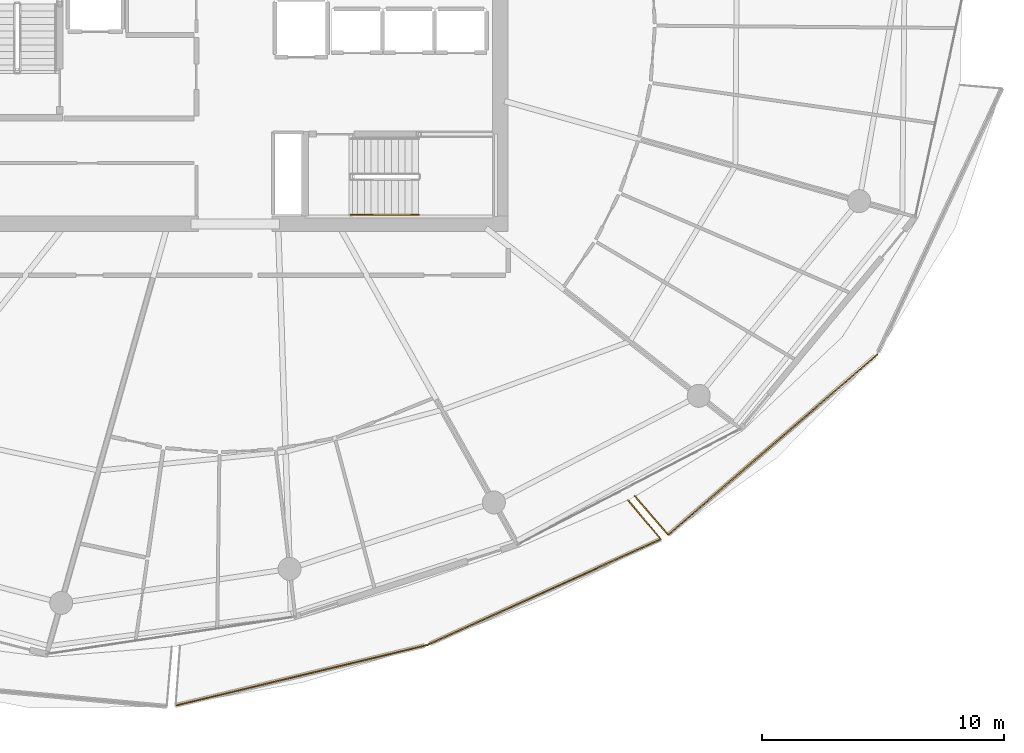
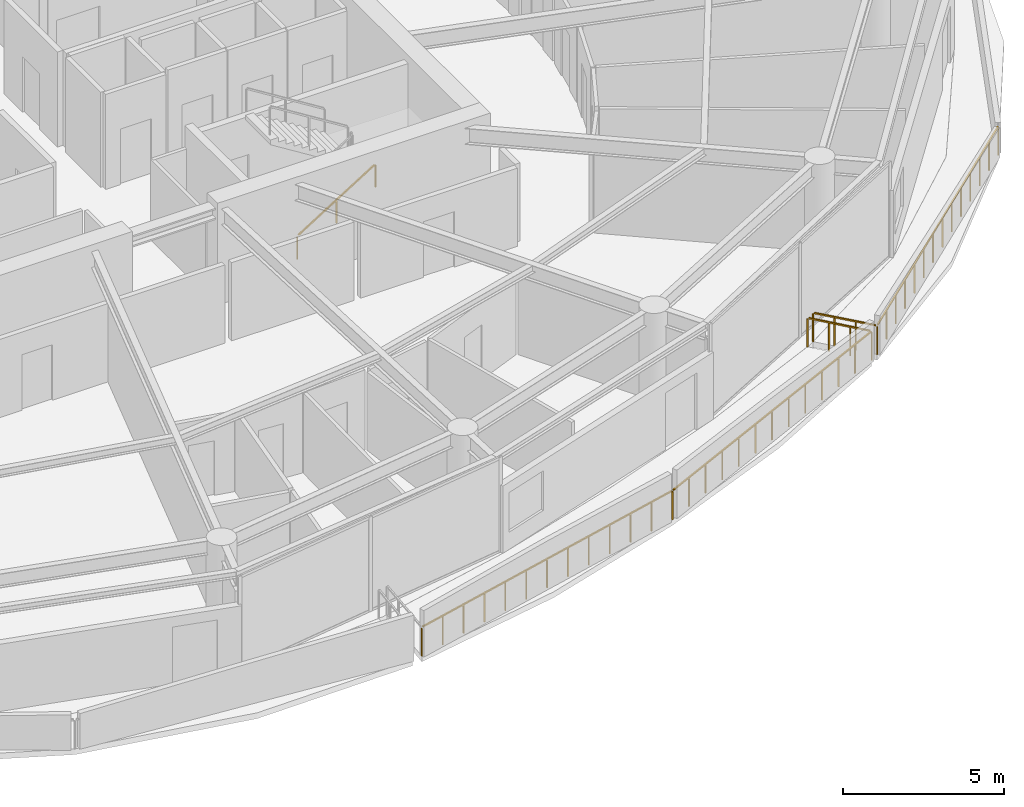
# One storey, part 26 of 30: 6 railings.
"""IFC4 building model written with IfcOpenShell, lengths in metres."""

from ifc_helpers import new_model, si_unit, direction, frame, origin, origin_2d, place, context, subcontext, project, spatial, rectangle, extrude, material, type_object, element, save


model = new_model("IFC4")

# Units and contexts
model_context = context("Model", 3, precision=1e-05, world=origin(), true_north=direction((0.0, 1.0)))
body_context = subcontext(model_context, "Body", "Model", "MODEL_VIEW")
ifc_project = project(units=[si_unit("LENGTHUNIT", "METRE"), si_unit("AREAUNIT", "SQUARE_METRE"), si_unit("VOLUMEUNIT", "CUBIC_METRE"), si_unit("PLANEANGLEUNIT", "RADIAN"), si_unit("MASSUNIT", "GRAM", prefix="KILO")], contexts=[model_context])

# Site, building, storey
site_placement = place(None, origin())
site = spatial("IfcSite", under=ifc_project, at=site_placement, CompositionType="ELEMENT")
building_placement = place(site_placement, origin())
building = spatial("IfcBuilding", under=site, at=building_placement, Name="Kazma Halo Residences", CompositionType="ELEMENT")
storey_placement = place(building_placement, frame((0.0, 0.0, 263.64990234375)))
storey = spatial("IfcBuildingStorey", under=building, at=storey_placement, Name="L66", CompositionType="ELEMENT", Elevation=263.64990234375)

# Railings
ifc_material_1 = material(Name="Aluminium AW-6063 T6 Brushed Cap Rail", Category="aluminium")
railing_type_1 = type_object("IfcRailingType", Name="RLG-BAL-CAP-1120", PredefinedType="BALUSTRADE", material=ifc_material_1)
railing_1_placement = place(storey_placement, frame((45.952392578125, 13.780517578125, 0.0)))
element("IfcRailing", 1, at=railing_1_placement, inside=storey, type_object=railing_type_1, Name="L66 SSE wave balcony guard 2", PredefinedType="BALUSTRADE", context=body_context, shape_type="SweptSolid", body=[
    extrude(rectangle(XDim=0.050048828125, YDim=0.050048828125, at=origin_2d()), frame((0.041259765625, 0.010009765625, 1.09521484375), z_axis=(0.972324307013, 0.233635275573, 0.0), x_axis=(-0.233635275573, 0.972324307013, 0.0)), (0.0, 0.0, 1.0), 10.615234375),
    extrude(rectangle(XDim=0.0400390625, YDim=0.0400390625, at=origin_2d()), origin(), (0.0, 0.0, 1.0), 1.05810546875),
    extrude(rectangle(XDim=0.0400390625, YDim=0.0400390625, at=origin_2d()), frame((0.866943359375, 0.208251953125, 0.0)), (0.0, 0.0, 1.0), 1.05810546875),
    extrude(rectangle(XDim=0.0400390625, YDim=0.0400390625, at=origin_2d()), frame((1.734130859375, 0.416748046875, 0.0)), (0.0, 0.0, 1.0), 1.05810546875),
    extrude(rectangle(XDim=0.0400390625, YDim=0.0400390625, at=origin_2d()), frame((2.60107421875, 0.625, 0.0)), (0.0, 0.0, 1.0), 1.05810546875),
    extrude(rectangle(XDim=0.0400390625, YDim=0.0400390625, at=origin_2d()), frame((3.468017578125, 0.833251953125, 0.0)), (0.0, 0.0, 1.0), 1.05810546875),
    extrude(rectangle(XDim=0.0400390625, YDim=0.0400390625, at=origin_2d()), frame((4.335205078125, 1.041748046875, 0.0)), (0.0, 0.0, 1.0), 1.05810546875),
    extrude(rectangle(XDim=0.0400390625, YDim=0.0400390625, at=origin_2d()), frame((5.2021484375, 1.25, 0.0)), (0.0, 0.0, 1.0), 1.05810546875),
    extrude(rectangle(XDim=0.0400390625, YDim=0.0400390625, at=origin_2d()), frame((6.069091796875, 1.458251953125, 0.0)), (0.0, 0.0, 1.0), 1.05810546875),
    extrude(rectangle(XDim=0.0400390625, YDim=0.0400390625, at=origin_2d()), frame((6.936279296875, 1.666748046875, 0.0)), (0.0, 0.0, 1.0), 1.05810546875),
    extrude(rectangle(XDim=0.0400390625, YDim=0.0400390625, at=origin_2d()), frame((7.80322265625, 1.875, 0.0)), (0.0, 0.0, 1.0), 1.05810546875),
    extrude(rectangle(XDim=0.0400390625, YDim=0.0400390625, at=origin_2d()), frame((8.670166015625, 2.083251953125, 0.0)), (0.0, 0.0, 1.0), 1.05810546875),
    extrude(rectangle(XDim=0.0400390625, YDim=0.0400390625, at=origin_2d()), frame((9.537353515625, 2.291748046875, 0.0)), (0.0, 0.0, 1.0), 1.05810546875),
    extrude(rectangle(XDim=0.0400390625, YDim=0.0400390625, at=origin_2d()), frame((10.404296875, 2.5, 0.0)), (0.0, 0.0, 1.0), 1.05810546875),
])
railing_2_placement = place(storey_placement, frame((56.356689453125, 16.280517578125, 0.0)))
element("IfcRailing", 2, at=railing_2_placement, inside=storey, type_object=railing_type_1, Name="L66 SSE wave balcony guard 3", PredefinedType="BALUSTRADE", context=body_context, shape_type="SweptSolid", body=[
    extrude(rectangle(XDim=0.050048828125, YDim=0.050048828125, at=origin_2d()), frame((0.038818359375, 0.017578125, 1.09521484375), z_axis=(0.910908594926, 0.412608206039, 0.0), x_axis=(-0.412608206039, 0.910908594926, 0.0)), (0.0, 0.0, 1.0), 10.510498046875),
    extrude(rectangle(XDim=0.0400390625, YDim=0.0400390625, at=origin_2d()), origin(), (0.0, 0.0, 1.0), 1.05810546875),
    extrude(rectangle(XDim=0.0400390625, YDim=0.0400390625, at=origin_2d()), frame((0.80419921875, 0.3642578125, 0.0)), (0.0, 0.0, 1.0), 1.05810546875),
    extrude(rectangle(XDim=0.0400390625, YDim=0.0400390625, at=origin_2d()), frame((1.608642578125, 0.728515625, 0.0)), (0.0, 0.0, 1.0), 1.05810546875),
    extrude(rectangle(XDim=0.0400390625, YDim=0.0400390625, at=origin_2d()), frame((2.412841796875, 1.093017578125, 0.0)), (0.0, 0.0, 1.0), 1.05810546875),
    extrude(rectangle(XDim=0.0400390625, YDim=0.0400390625, at=origin_2d()), frame((3.21728515625, 1.457275390625, 0.0)), (0.0, 0.0, 1.0), 1.05810546875),
    extrude(rectangle(XDim=0.0400390625, YDim=0.0400390625, at=origin_2d()), frame((4.021484375, 1.821533203125, 0.0)), (0.0, 0.0, 1.0), 1.05810546875),
    extrude(rectangle(XDim=0.0400390625, YDim=0.0400390625, at=origin_2d()), frame((4.82568359375, 2.18603515625, 0.0)), (0.0, 0.0, 1.0), 1.05810546875),
    extrude(rectangle(XDim=0.0400390625, YDim=0.0400390625, at=origin_2d()), frame((5.630126953125, 2.55029296875, 0.0)), (0.0, 0.0, 1.0), 1.05810546875),
    extrude(rectangle(XDim=0.0400390625, YDim=0.0400390625, at=origin_2d()), frame((6.434326171875, 2.91455078125, 0.0)), (0.0, 0.0, 1.0), 1.05810546875),
    extrude(rectangle(XDim=0.0400390625, YDim=0.0400390625, at=origin_2d()), frame((7.23876953125, 3.27880859375, 0.0)), (0.0, 0.0, 1.0), 1.05810546875),
    extrude(rectangle(XDim=0.0400390625, YDim=0.0400390625, at=origin_2d()), frame((8.04296875, 3.64306640625, 0.0)), (0.0, 0.0, 1.0), 1.05810546875),
    extrude(rectangle(XDim=0.0400390625, YDim=0.0400390625, at=origin_2d()), frame((8.847412109375, 4.007568359375, 0.0)), (0.0, 0.0, 1.0), 1.05810546875),
    extrude(rectangle(XDim=0.0400390625, YDim=0.0400390625, at=origin_2d()), frame((9.651611328125, 4.371826171875, 0.0)), (0.0, 0.0, 1.0), 1.05810546875),
])
railing_3_placement = place(storey_placement, frame((66.00830078125, 20.65234375, 0.0)))
element("IfcRailing", 3, at=railing_3_placement, inside=storey, type_object=railing_type_1, Name="L66 SSE wave balcony guard 4", PredefinedType="BALUSTRADE", context=body_context, shape_type="SweptSolid", body=[
    extrude(rectangle(XDim=0.050048828125, YDim=0.050048828125, at=origin_2d()), frame((-0.02734375, 0.032470703125, 1.09521484375), z_axis=(-0.64483932972, 0.764318152896, 0.0), x_axis=(-0.764318152896, -0.64483932972, 0.0)), (0.0, 0.0, 1.0), 2.02978515625),
    extrude(rectangle(XDim=0.0400390625, YDim=0.0400390625, at=origin_2d()), origin(), (0.0, 0.0, 1.0), 1.05810546875),
    extrude(rectangle(XDim=0.0400390625, YDim=0.0400390625, at=origin_2d()), frame((-0.45458984375, 0.538818359375, 0.0)), (0.0, 0.0, 1.0), 1.05810546875),
    extrude(rectangle(XDim=0.0400390625, YDim=0.0400390625, at=origin_2d()), frame((-0.9091796875, 1.07763671875, 0.0)), (0.0, 0.0, 1.0), 1.05810546875),
    extrude(rectangle(XDim=0.0400390625, YDim=0.0400390625, at=origin_2d()), frame((-1.36376953125, 1.616455078125, 0.0)), (0.0, 0.0, 1.0), 1.05810546875),
])
railing_4_placement = place(storey_placement, frame((64.93212890625, 22.41845703125, 0.0)))
element("IfcRailing", 4, at=railing_4_placement, inside=storey, type_object=railing_type_1, Name="L66 SE wave balcony guard 1", PredefinedType="BALUSTRADE", context=body_context, shape_type="SweptSolid", body=[
    extrude(rectangle(XDim=0.050048828125, YDim=0.050048828125, at=origin_2d()), frame((0.02783203125, -0.0322265625, 1.09521484375), z_axis=(0.654115991231, -0.756394255674, 0.0), x_axis=(0.756394255674, 0.654115991231, 0.0)), (0.0, 0.0, 1.0), 2.015380859375),
    extrude(rectangle(XDim=0.0400390625, YDim=0.0400390625, at=origin_2d()), origin(), (0.0, 0.0, 1.0), 1.05810546875),
    extrude(rectangle(XDim=0.0400390625, YDim=0.0400390625, at=origin_2d()), frame((0.4580078125, -0.529541015625, 0.0)), (0.0, 0.0, 1.0), 1.05810546875),
    extrude(rectangle(XDim=0.0400390625, YDim=0.0400390625, at=origin_2d()), frame((0.916015625, -1.059326171875, 0.0)), (0.0, 0.0, 1.0), 1.05810546875),
    extrude(rectangle(XDim=0.0400390625, YDim=0.0400390625, at=origin_2d()), frame((1.3740234375, -1.5888671875, 0.0)), (0.0, 0.0, 1.0), 1.05810546875),
])
railing_5_placement = place(storey_placement, frame((66.30615234375, 20.82958984375, 0.0)))
element("IfcRailing", 5, at=railing_5_placement, inside=storey, type_object=railing_type_1, Name="L66 SE wave balcony guard 2", PredefinedType="BALUSTRADE", context=body_context, shape_type="SweptSolid", body=[
    extrude(rectangle(XDim=0.050048828125, YDim=0.050048828125, at=origin_2d()), frame((0.0322265625, 0.02783203125, 1.09521484375), z_axis=(0.757187471417, 0.653197621803, 0.0), x_axis=(-0.653197621803, 0.757187471417, 0.0)), (0.0, 0.0, 1.0), 11.313232421875),
    extrude(rectangle(XDim=0.0400390625, YDim=0.0400390625, at=origin_2d()), origin(), (0.0, 0.0, 1.0), 1.05810546875),
    extrude(rectangle(XDim=0.0400390625, YDim=0.0400390625, at=origin_2d()), frame((0.663818359375, 0.57275390625, 0.0)), (0.0, 0.0, 1.0), 1.05810546875),
    extrude(rectangle(XDim=0.0400390625, YDim=0.0400390625, at=origin_2d()), frame((1.327880859375, 1.1455078125, 0.0)), (0.0, 0.0, 1.0), 1.05810546875),
    extrude(rectangle(XDim=0.0400390625, YDim=0.0400390625, at=origin_2d()), frame((1.99169921875, 1.71826171875, 0.0)), (0.0, 0.0, 1.0), 1.05810546875),
    extrude(rectangle(XDim=0.0400390625, YDim=0.0400390625, at=origin_2d()), frame((2.655517578125, 2.290771484375, 0.0)), (0.0, 0.0, 1.0), 1.05810546875),
    extrude(rectangle(XDim=0.0400390625, YDim=0.0400390625, at=origin_2d()), frame((3.319580078125, 2.863525390625, 0.0)), (0.0, 0.0, 1.0), 1.05810546875),
    extrude(rectangle(XDim=0.0400390625, YDim=0.0400390625, at=origin_2d()), frame((3.9833984375, 3.436279296875, 0.0)), (0.0, 0.0, 1.0), 1.05810546875),
    extrude(rectangle(XDim=0.0400390625, YDim=0.0400390625, at=origin_2d()), frame((4.647216796875, 4.009033203125, 0.0)), (0.0, 0.0, 1.0), 1.05810546875),
    extrude(rectangle(XDim=0.0400390625, YDim=0.0400390625, at=origin_2d()), frame((5.31103515625, 4.581787109375, 0.0)), (0.0, 0.0, 1.0), 1.05810546875),
    extrude(rectangle(XDim=0.0400390625, YDim=0.0400390625, at=origin_2d()), frame((5.97509765625, 5.154541015625, 0.0)), (0.0, 0.0, 1.0), 1.05810546875),
    extrude(rectangle(XDim=0.0400390625, YDim=0.0400390625, at=origin_2d()), frame((6.638916015625, 5.72705078125, 0.0)), (0.0, 0.0, 1.0), 1.05810546875),
    extrude(rectangle(XDim=0.0400390625, YDim=0.0400390625, at=origin_2d()), frame((7.302734375, 6.2998046875, 0.0)), (0.0, 0.0, 1.0), 1.05810546875),
    extrude(rectangle(XDim=0.0400390625, YDim=0.0400390625, at=origin_2d()), frame((7.966796875, 6.87255859375, 0.0)), (0.0, 0.0, 1.0), 1.05810546875),
    extrude(rectangle(XDim=0.0400390625, YDim=0.0400390625, at=origin_2d()), frame((8.630615234375, 7.4453125, 0.0)), (0.0, 0.0, 1.0), 1.05810546875),
])
ifc_material_2 = material(Name="Brushed Stainless Steel", Category="steel")
railing_type_2 = type_object("IfcRailingType", Name="RLG-STAIR-HND-900", PredefinedType="HANDRAIL", material=ifc_material_2)
railing_6_placement = place(storey_placement, frame((53.199951171875, 34.050048828125, 0.175048828125)))
element("IfcRailing", 6, at=railing_6_placement, inside=storey, type_object=railing_type_2, Name="L66 ST-03 stair handrail 1", PredefinedType="HANDRAIL", context=body_context, shape_type="SweptSolid", body=[
    extrude(rectangle(XDim=0.050048828125, YDim=0.050048828125, at=origin_2d()), frame((0.0361328125, 0.0, 0.8974609375), z_axis=(0.848002457836, 0.0, 0.529992293815), x_axis=(0.0, 1.0, 0.0)), (0.0, 0.0, 1.0), 3.216796875),
    extrude(rectangle(XDim=0.0400390625, YDim=0.0400390625, at=origin_2d()), origin(), (0.0, 0.0, 1.0), 0.837890625),
    extrude(rectangle(XDim=0.0400390625, YDim=0.0400390625, at=origin_2d()), frame((1.39990234375, 0.0, 0.875)), (0.0, 0.0, 1.0), 0.837890625),
    extrude(rectangle(XDim=0.0400390625, YDim=0.0400390625, at=origin_2d()), frame((2.800048828125, 0.0, 1.75)), (0.0, 0.0, 1.0), 0.837890625),
])

save(model, "model.ifc")
